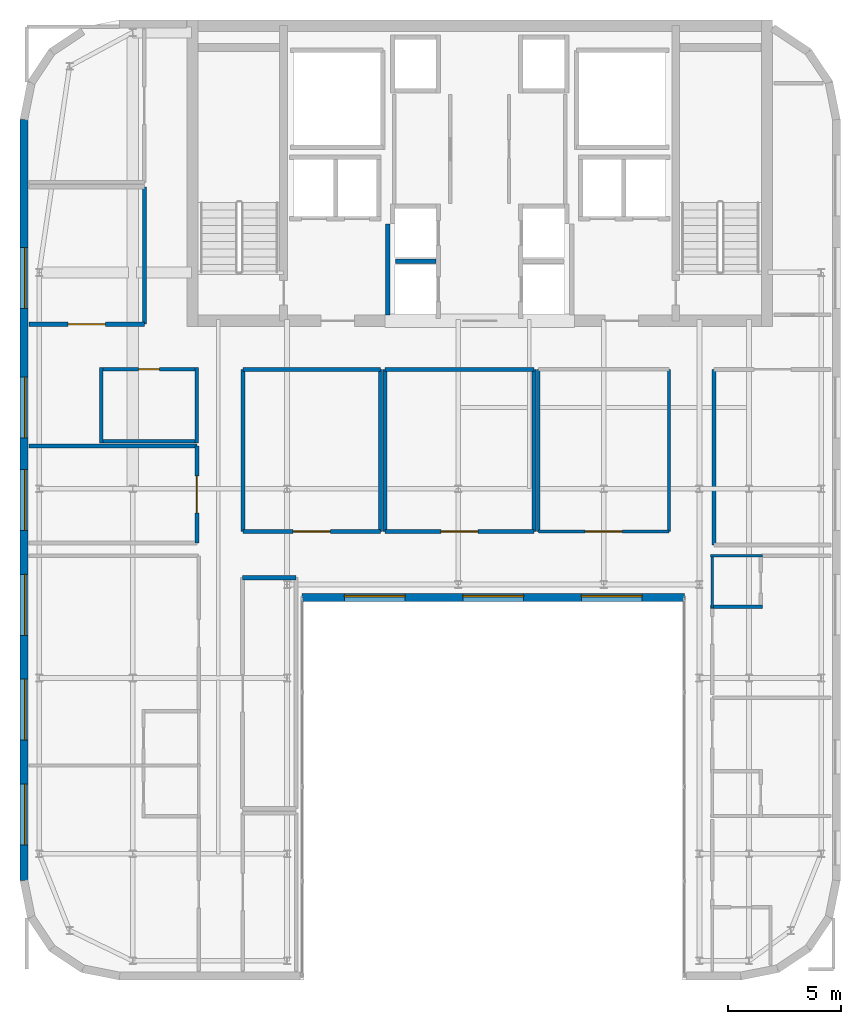
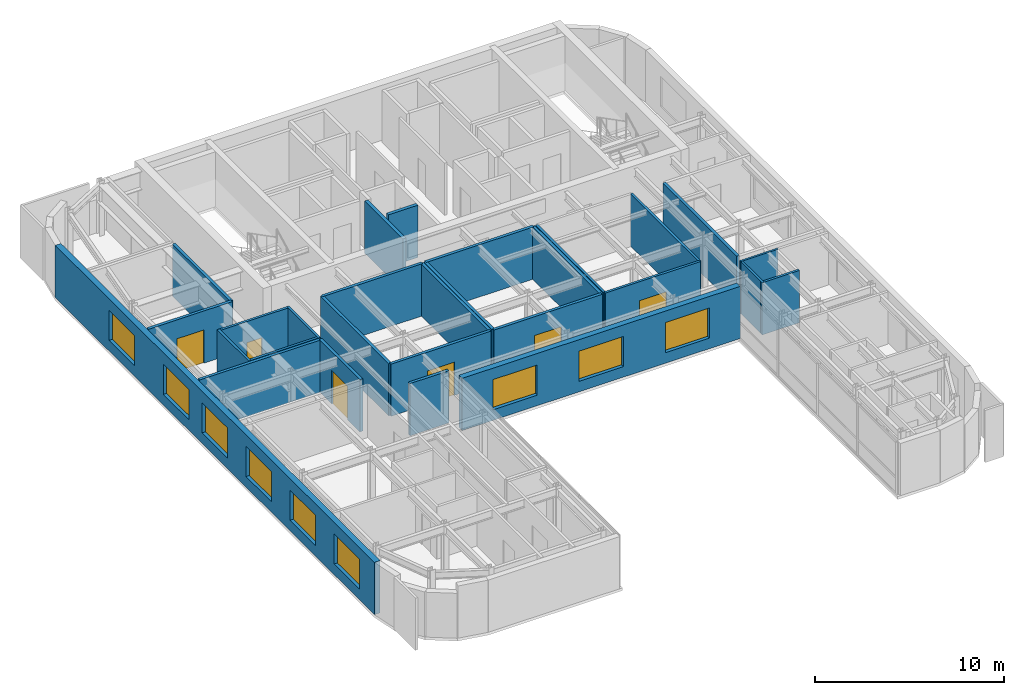
# One storey, part 14 of 18: 28 walls, 9 windows, 6 doors, 15 openings.
"""IFC4 building model written with IfcOpenShell, lengths in metres."""

from ifc_helpers import new_model, si_unit, direction, frame, frame_2d, origin, place, context, subcontext, project, spatial, rectangle, extrude, source, transform, mapped, material, layer, layer_set, type_object, type_shapes, element, fill, save


model = new_model("IFC4")

# Units and contexts
model_context = context("Model", 3, precision=1e-05, world=origin(), true_north=direction((0.0, 1.0)))
body_context = subcontext(model_context, "Body", "Model", "MODEL_VIEW")
ifc_project = project(units=[si_unit("LENGTHUNIT", "METRE"), si_unit("AREAUNIT", "SQUARE_METRE"), si_unit("VOLUMEUNIT", "CUBIC_METRE"), si_unit("PLANEANGLEUNIT", "RADIAN"), si_unit("MASSUNIT", "GRAM", prefix="KILO")], contexts=[model_context])

# Site, building, storey
site_placement = place(None, origin())
site = spatial("IfcSite", under=ifc_project, at=site_placement, CompositionType="ELEMENT")
building_placement = place(site_placement, origin())
building = spatial("IfcBuilding", under=site, at=building_placement, Name="Tolvann Quenvar Hotel", CompositionType="ELEMENT")
storey_placement = place(building_placement, frame((0.0, 0.0, 259.39990234375)))
storey = spatial("IfcBuildingStorey", under=building, at=storey_placement, Name="L69", CompositionType="ELEMENT", Elevation=259.39990234375)

# Wall, openings, windows
ifc_material_1 = material(Name="Kiln-fired red and buff architectural clay brickwork and terracotta masonry", Category="masonry")
ifc_layer_1 = layer(ifc_material_1, 0.35009765625)
ifc_layer_set_1 = layer_set([ifc_layer_1], Name="Kiln-fired red and buff architectural clay brickwork and terracotta masonry")
wall_type_1 = type_object("IfcWallType", Name="WALL_EXT_BRICK_350", PredefinedType="SOLIDWALL", material=ifc_layer_set_1)
wall_1_placement = place(storey_placement, frame((15.110107421875, 19.574951171875, 0.0), z_axis=(0.0, 0.0, 1.0), x_axis=(1.0, 0.0, 0.0)))
wall_1 = element("IfcWall", 1, at=wall_1_placement, inside=storey, type_object=wall_type_1, Name="Exterior Chicago Brick Wall L69-E06", PredefinedType="SOLIDWALL", context=body_context, shape_type="SweptSolid", body=[
    extrude(rectangle(XDim=16.97998046875, YDim=0.35009765625, at=frame_2d((8.489990234375, 0.0))), origin(), (0.0, 0.0, 1.0), 3.3701171875),
])
opening_1_placement = place(wall_1_placement, frame((1.8798828125, 0.0, 0.679931640625)))
opening_1 = element("IfcOpeningElement", 2, at=opening_1_placement, cuts=wall_1, Name="Opening W-04", PredefinedType="OPENING", context=body_context, shape_type="SweptSolid", body=[
    extrude(rectangle(XDim=2.699951171875, YDim=1.949951171875, at=frame_2d((1.35009765625, 0.97509765625))), frame((0.0, 0.18505859375, 0.0), z_axis=(0.0, -1.0, 0.0), x_axis=(1.0, 0.0, 0.0)), (0.0, 0.0, 1.0), 0.3701171875),
])
opening_2_placement = place(wall_1_placement, frame((7.139892578125, 0.0, 0.679931640625)))
opening_2 = element("IfcOpeningElement", 3, at=opening_2_placement, cuts=wall_1, Name="Opening W-04", PredefinedType="OPENING", context=body_context, shape_type="SweptSolid", body=[
    extrude(rectangle(XDim=2.699951171875, YDim=1.949951171875, at=frame_2d((1.35009765625, 0.97509765625))), frame((0.0, 0.18505859375, 0.0), z_axis=(0.0, -1.0, 0.0), x_axis=(1.0, 0.0, 0.0)), (0.0, 0.0, 1.0), 0.3701171875),
])
opening_3_placement = place(wall_1_placement, frame((12.39990234375, 0.0, 0.679931640625)))
opening_3 = element("IfcOpeningElement", 4, at=opening_3_placement, cuts=wall_1, Name="Opening W-04", PredefinedType="OPENING", context=body_context, shape_type="SweptSolid", body=[
    extrude(rectangle(XDim=2.699951171875, YDim=1.949951171875, at=frame_2d((1.35009765625, 0.97509765625))), frame((0.0, 0.18505859375, 0.0), z_axis=(0.0, -1.0, 0.0), x_axis=(1.0, 0.0, 0.0)), (0.0, 0.0, 1.0), 0.3701171875),
])
ifc_material_2 = material(Name="Thermally broken bronze-anodised aluminium frame with double low-E glazing", Category="aluminium")
window_type = type_object("IfcWindowType", Name="WIN_STE_2700x2150", PartitioningType="TRIPLE_PANEL_HORIZONTAL", PredefinedType="WINDOW", material=ifc_material_2)
shared_shape_1 = source(origin(), body_context, "Body", "SweptSolid", [
    extrude(rectangle(XDim=2.699951171875, YDim=1.949951171875, at=frame_2d((1.35009765625, 0.97509765625))), frame((0.0, 0.090087890625, 0.0), z_axis=(0.0, -1.0, 0.0), x_axis=(1.0, 0.0, 0.0)), (0.0, 0.0, 1.0), 0.06005859375),
])
type_shapes(window_type, [shared_shape_1])
window_1_placement = place(opening_1_placement, origin())
window_1 = element("IfcWindow", 5, at=window_1_placement, inside=storey, type_object=window_type, Name="Chicago Window W-04 (EW-L69-E06-W01)", OverallHeight=1.949951171875, OverallWidth=2.699951171875, PartitioningType="TRIPLE_PANEL_HORIZONTAL", PredefinedType="WINDOW", context=body_context, shape_type="MappedRepresentation", body=[
    mapped(shared_shape_1, transform((0.0, 0.0, 0.0), x_axis=(1.0, 0.0, 0.0), y_axis=(0.0, 1.0, 0.0), z_axis=(0.0, 0.0, 1.0), scale=1.0)),
])
fill(opening_1, window_1)
window_2_placement = place(opening_2_placement, origin())
window_2 = element("IfcWindow", 6, at=window_2_placement, inside=storey, type_object=window_type, Name="Chicago Window W-04 (EW-L69-E06-W02)", OverallHeight=1.949951171875, OverallWidth=2.699951171875, PartitioningType="TRIPLE_PANEL_HORIZONTAL", PredefinedType="WINDOW", context=body_context, shape_type="MappedRepresentation", body=[
    mapped(shared_shape_1, transform((0.0, 0.0, 0.0), x_axis=(1.0, 0.0, 0.0), y_axis=(0.0, 1.0, 0.0), z_axis=(0.0, 0.0, 1.0), scale=1.0)),
])
fill(opening_2, window_2)
window_3_placement = place(opening_3_placement, origin())
window_3 = element("IfcWindow", 7, at=window_3_placement, inside=storey, type_object=window_type, Name="Chicago Window W-04 (EW-L69-E06-W03)", OverallHeight=1.949951171875, OverallWidth=2.699951171875, PartitioningType="TRIPLE_PANEL_HORIZONTAL", PredefinedType="WINDOW", context=body_context, shape_type="MappedRepresentation", body=[
    mapped(shared_shape_1, transform((0.0, 0.0, 0.0), x_axis=(1.0, 0.0, 0.0), y_axis=(0.0, 1.0, 0.0), z_axis=(0.0, 0.0, 1.0), scale=1.0)),
])
fill(opening_3, window_3)

wall_2_placement = place(storey_placement, frame((2.77490234375, 40.78271484375, 0.0), z_axis=(0.0, 0.0, 1.0), x_axis=(0.0, -1.0, 0.0)))
wall_2 = element("IfcWall", 8, at=wall_2_placement, inside=storey, type_object=wall_type_1, Name="Exterior Chicago Brick Wall L69-E23", PredefinedType="SOLIDWALL", context=body_context, shape_type="SweptSolid", body=[
    extrude(rectangle(XDim=33.765625, YDim=0.35009765625, at=frame_2d((16.8828125, 0.0))), origin(), (0.0, 0.0, 1.0), 3.3701171875),
])
opening_4_placement = place(wall_2_placement, frame((5.677978515625, 0.0, 0.679931640625)))
opening_4 = element("IfcOpeningElement", 9, at=opening_4_placement, cuts=wall_2, Name="Opening W-04", PredefinedType="OPENING", context=body_context, shape_type="SweptSolid", body=[
    extrude(rectangle(XDim=2.699951171875, YDim=1.949951171875, at=frame_2d((1.35009765625, 0.97509765625))), frame((0.0, 0.18505859375, 0.0), z_axis=(0.0, -1.0, 0.0), x_axis=(1.0, 0.0, 0.0)), (0.0, 0.0, 1.0), 0.3701171875),
])
opening_5_placement = place(wall_2_placement, frame((11.430908203125, 0.0, 0.679931640625)))
opening_5 = element("IfcOpeningElement", 10, at=opening_5_placement, cuts=wall_2, Name="Opening W-04", PredefinedType="OPENING", context=body_context, shape_type="SweptSolid", body=[
    extrude(rectangle(XDim=2.699951171875, YDim=1.949951171875, at=frame_2d((1.35009765625, 0.97509765625))), frame((0.0, 0.18505859375, 0.0), z_axis=(0.0, -1.0, 0.0), x_axis=(1.0, 0.0, 0.0)), (0.0, 0.0, 1.0), 0.3701171875),
])
opening_6_placement = place(wall_2_placement, frame((15.532958984375, 0.0, 0.679931640625)))
opening_6 = element("IfcOpeningElement", 11, at=opening_6_placement, cuts=wall_2, Name="Opening W-04", PredefinedType="OPENING", context=body_context, shape_type="SweptSolid", body=[
    extrude(rectangle(XDim=2.699951171875, YDim=1.949951171875, at=frame_2d((1.35009765625, 0.97509765625))), frame((0.0, 0.18505859375, 0.0), z_axis=(0.0, -1.0, 0.0), x_axis=(1.0, 0.0, 0.0)), (0.0, 0.0, 1.0), 0.3701171875),
])
opening_7_placement = place(wall_2_placement, frame((20.18505859375, 0.0, 0.679931640625)))
opening_7 = element("IfcOpeningElement", 12, at=opening_7_placement, cuts=wall_2, Name="Opening W-04", PredefinedType="OPENING", context=body_context, shape_type="SweptSolid", body=[
    extrude(rectangle(XDim=2.699951171875, YDim=1.949951171875, at=frame_2d((1.35009765625, 0.97509765625))), frame((0.0, 0.18505859375, 0.0), z_axis=(0.0, -1.0, 0.0), x_axis=(1.0, 0.0, 0.0)), (0.0, 0.0, 1.0), 0.3701171875),
])
opening_8_placement = place(wall_2_placement, frame((24.8369140625, 0.0, 0.679931640625)))
opening_8 = element("IfcOpeningElement", 13, at=opening_8_placement, cuts=wall_2, Name="Opening W-04", PredefinedType="OPENING", context=body_context, shape_type="SweptSolid", body=[
    extrude(rectangle(XDim=2.699951171875, YDim=1.949951171875, at=frame_2d((1.35009765625, 0.97509765625))), frame((0.0, 0.18505859375, 0.0), z_axis=(0.0, -1.0, 0.0), x_axis=(1.0, 0.0, 0.0)), (0.0, 0.0, 1.0), 0.3701171875),
])
opening_9_placement = place(wall_2_placement, frame((29.489013671875, 0.0, 0.679931640625)))
opening_9 = element("IfcOpeningElement", 14, at=opening_9_placement, cuts=wall_2, Name="Opening W-04", PredefinedType="OPENING", context=body_context, shape_type="SweptSolid", body=[
    extrude(rectangle(XDim=2.699951171875, YDim=1.949951171875, at=frame_2d((1.35009765625, 0.97509765625))), frame((0.0, 0.18505859375, 0.0), z_axis=(0.0, -1.0, 0.0), x_axis=(1.0, 0.0, 0.0)), (0.0, 0.0, 1.0), 0.3701171875),
])
window_4_placement = place(opening_4_placement, origin())
window_4 = element("IfcWindow", 15, at=window_4_placement, inside=storey, type_object=window_type, Name="Chicago Window W-04 (EW-L69-E23-W01)", OverallHeight=1.949951171875, OverallWidth=2.699951171875, PartitioningType="TRIPLE_PANEL_HORIZONTAL", PredefinedType="WINDOW", context=body_context, shape_type="MappedRepresentation", body=[
    mapped(shared_shape_1, transform((0.0, 0.0, 0.0), x_axis=(1.0, 0.0, 0.0), y_axis=(0.0, 1.0, 0.0), z_axis=(0.0, 0.0, 1.0), scale=1.0)),
])
fill(opening_4, window_4)
window_5_placement = place(opening_5_placement, origin())
window_5 = element("IfcWindow", 16, at=window_5_placement, inside=storey, type_object=window_type, Name="Chicago Window W-04 (EW-L69-E23-W02)", OverallHeight=1.949951171875, OverallWidth=2.699951171875, PartitioningType="TRIPLE_PANEL_HORIZONTAL", PredefinedType="WINDOW", context=body_context, shape_type="MappedRepresentation", body=[
    mapped(shared_shape_1, transform((0.0, 0.0, 0.0), x_axis=(1.0, 0.0, 0.0), y_axis=(0.0, 1.0, 0.0), z_axis=(0.0, 0.0, 1.0), scale=1.0)),
])
fill(opening_5, window_5)
window_6_placement = place(opening_6_placement, origin())
window_6 = element("IfcWindow", 17, at=window_6_placement, inside=storey, type_object=window_type, Name="Chicago Window W-04 (EW-L69-E23-W03)", OverallHeight=1.949951171875, OverallWidth=2.699951171875, PartitioningType="TRIPLE_PANEL_HORIZONTAL", PredefinedType="WINDOW", context=body_context, shape_type="MappedRepresentation", body=[
    mapped(shared_shape_1, transform((0.0, 0.0, 0.0), x_axis=(1.0, 0.0, 0.0), y_axis=(0.0, 1.0, 0.0), z_axis=(0.0, 0.0, 1.0), scale=1.0)),
])
fill(opening_6, window_6)
window_7_placement = place(opening_7_placement, origin())
window_7 = element("IfcWindow", 18, at=window_7_placement, inside=storey, type_object=window_type, Name="Chicago Window W-04 (EW-L69-E23-W04)", OverallHeight=1.949951171875, OverallWidth=2.699951171875, PartitioningType="TRIPLE_PANEL_HORIZONTAL", PredefinedType="WINDOW", context=body_context, shape_type="MappedRepresentation", body=[
    mapped(shared_shape_1, transform((0.0, 0.0, 0.0), x_axis=(1.0, 0.0, 0.0), y_axis=(0.0, 1.0, 0.0), z_axis=(0.0, 0.0, 1.0), scale=1.0)),
])
fill(opening_7, window_7)
window_8_placement = place(opening_8_placement, origin())
window_8 = element("IfcWindow", 19, at=window_8_placement, inside=storey, type_object=window_type, Name="Chicago Window W-04 (EW-L69-E23-W05)", OverallHeight=1.949951171875, OverallWidth=2.699951171875, PartitioningType="TRIPLE_PANEL_HORIZONTAL", PredefinedType="WINDOW", context=body_context, shape_type="MappedRepresentation", body=[
    mapped(shared_shape_1, transform((0.0, 0.0, 0.0), x_axis=(1.0, 0.0, 0.0), y_axis=(0.0, 1.0, 0.0), z_axis=(0.0, 0.0, 1.0), scale=1.0)),
])
fill(opening_8, window_8)
window_9_placement = place(opening_9_placement, origin())
window_9 = element("IfcWindow", 20, at=window_9_placement, inside=storey, type_object=window_type, Name="Chicago Window W-04 (EW-L69-E23-W06)", OverallHeight=1.949951171875, OverallWidth=2.699951171875, PartitioningType="TRIPLE_PANEL_HORIZONTAL", PredefinedType="WINDOW", context=body_context, shape_type="MappedRepresentation", body=[
    mapped(shared_shape_1, transform((0.0, 0.0, 0.0), x_axis=(1.0, 0.0, 0.0), y_axis=(0.0, 1.0, 0.0), z_axis=(0.0, 0.0, 1.0), scale=1.0)),
])
fill(opening_9, window_9)

# Wall
ifc_material_3 = material(Name="Acoustic twin-stud fire-rated gypsum plasterboard partition")
ifc_layer_2 = layer(ifc_material_3, 0.179931640625)
ifc_layer_set_2 = layer_set([ifc_layer_2], Name="Acoustic twin-stud fire-rated gypsum plasterboard partition")
wall_type_2 = type_object("IfcWallType", Name="WALL_PART_ACOUSTIC_180", PredefinedType="PARTITIONING", material=ifc_layer_set_2)
wall_3_placement = place(storey_placement, frame((12.47998046875, 20.449951171875, 0.0), z_axis=(0.0, 0.0, 1.0), x_axis=(1.0, 0.0, 0.0)))
element("IfcWall", 21, at=wall_3_placement, inside=storey, type_object=wall_type_2, Name="Interior Partition PT-SPC-L69-POVL-N", PredefinedType="PARTITIONING", context=body_context, shape_type="SweptSolid", body=[
    extrude(rectangle(XDim=2.3701171875, YDim=0.179931640625, at=frame_2d((1.18505859375, 0.0))), origin(), (0.0, 0.0, 1.0), 3.3701171875),
])

# Wall, opening, door
wall_4_placement = place(storey_placement, frame((12.5, 22.5, 0.0), z_axis=(0.0, 0.0, 1.0), x_axis=(1.0, 0.0, 0.0)))
wall_4 = element("IfcWall", 22, at=wall_4_placement, inside=storey, type_object=wall_type_2, Name="Interior Partition PT-SPC-L69-PCNTR1-S", PredefinedType="PARTITIONING", context=body_context, shape_type="SweptSolid", body=[
    extrude(rectangle(XDim=6.10009765625, YDim=0.179931640625, at=frame_2d((3.050048828125, 0.0))), origin(), (0.0, 0.0, 1.0), 3.3701171875),
])
opening_10_placement = place(wall_4_placement, frame((2.22509765625, 0.0, 0.0)))
opening_10 = element("IfcOpeningElement", 23, at=opening_10_placement, cuts=wall_4, Name="Opening AD-01", PredefinedType="OPENING", context=body_context, shape_type="SweptSolid", body=[
    extrude(rectangle(XDim=1.64990234375, YDim=2.14990234375, at=frame_2d((0.824951171875, 1.074951171875))), frame((0.0, 0.10009765625, 0.0), z_axis=(0.0, -1.0, 0.0), x_axis=(1.0, 0.0, 0.0)), (0.0, 0.0, 1.0), 0.199951171875),
])
ifc_material_4 = material(Name="Solid-core American oak acoustic fire door leaf in steel frame", Category="steel")
door_type_1 = type_object("IfcDoorType", Name="DOOR_SALON_1650", OperationType="NOTDEFINED", PredefinedType="DOOR", material=ifc_material_4)
shared_shape_2 = source(origin(), body_context, "Body", "SweptSolid", [
    extrude(rectangle(XDim=1.64990234375, YDim=2.14990234375, at=frame_2d((0.824951171875, 1.074951171875))), frame((0.0, 0.02490234375, 0.0), z_axis=(0.0, -1.0, 0.0), x_axis=(1.0, 0.0, 0.0)), (0.0, 0.0, 1.0), 0.050048828125),
])
type_shapes(door_type_1, [shared_shape_2])
door_1_placement = place(opening_10_placement, origin())
door_1 = element("IfcDoor", 24, at=door_1_placement, inside=storey, type_object=door_type_1, Name="Interior Door DOOR-SPC-L69-PCNTR1", OperationType="DOUBLE_DOOR_SINGLE_SWING", OverallHeight=2.14990234375, OverallWidth=1.64990234375, PredefinedType="DOOR", context=body_context, shape_type="MappedRepresentation", body=[
    mapped(shared_shape_2, transform((0.0, 0.0, 0.0), x_axis=(1.0, 0.0, 0.0), y_axis=(0.0, 1.0, 0.0), z_axis=(0.0, 0.0, 1.0), scale=1.0)),
])
fill(opening_10, door_1)

# Walls
wall_5_placement = place(storey_placement, frame((12.5, 29.699951171875, 0.0), z_axis=(0.0, 0.0, 1.0), x_axis=(1.0, 0.0, 0.0)))
element("IfcWall", 25, at=wall_5_placement, inside=storey, type_object=wall_type_2, Name="Interior Partition PT-SPC-L69-PCNTR1-N", PredefinedType="PARTITIONING", context=body_context, shape_type="SweptSolid", body=[
    extrude(rectangle(XDim=6.10009765625, YDim=0.179931640625, at=frame_2d((3.050048828125, 0.0))), origin(), (0.0, 0.0, 1.0), 3.3701171875),
])
for number, where, z_axis, x_axis, name in (
    (26, (12.5, 22.5, 0.0), (0.0, 0.0, 1.0), (0.0, 1.0, 0.0), "Interior Partition PT-SPC-L69-PCNTR1-W"),
    (27, (18.60009765625, 22.5, 0.0), (0.0, 0.0, 1.0), (0.0, 1.0, 0.0), "Interior Partition PT-SPC-L69-PCNTR1-E"),
):
    element("IfcWall", number, at=place(storey_placement, frame(where, z_axis=z_axis, x_axis=x_axis)), inside=storey, type_object=wall_type_2, Name=name, PredefinedType="PARTITIONING", context=body_context, shape_type="SweptSolid", body=[
        extrude(rectangle(XDim=7.199951171875, YDim=0.179931640625, at=frame_2d((3.60009765625, 0.0))), origin(), (0.0, 0.0, 1.0), 3.3701171875),
    ])

# Wall, opening, door
wall_6_placement = place(storey_placement, frame((18.800048828125, 22.5, 0.0), z_axis=(0.0, 0.0, 1.0), x_axis=(1.0, 0.0, 0.0)))
wall_6 = element("IfcWall", 28, at=wall_6_placement, inside=storey, type_object=wall_type_2, Name="Interior Partition PT-SPC-L69-PCNTR2-S", PredefinedType="PARTITIONING", context=body_context, shape_type="SweptSolid", body=[
    extrude(rectangle(XDim=6.599853515625, YDim=0.179931640625, at=frame_2d((3.2998046875, 0.0))), origin(), (0.0, 0.0, 1.0), 3.3701171875),
])
opening_11_placement = place(wall_6_placement, frame((2.47509765625, 0.0, 0.0)))
opening_11 = element("IfcOpeningElement", 29, at=opening_11_placement, cuts=wall_6, Name="Opening AD-01", PredefinedType="OPENING", context=body_context, shape_type="SweptSolid", body=[
    extrude(rectangle(XDim=1.64990234375, YDim=2.14990234375, at=frame_2d((0.824951171875, 1.074951171875))), frame((0.0, 0.10009765625, 0.0), z_axis=(0.0, -1.0, 0.0), x_axis=(1.0, 0.0, 0.0)), (0.0, 0.0, 1.0), 0.199951171875),
])
door_2_placement = place(opening_11_placement, origin())
door_2 = element("IfcDoor", 30, at=door_2_placement, inside=storey, type_object=door_type_1, Name="Interior Door DOOR-SPC-L69-PCNTR2", OperationType="DOUBLE_DOOR_SINGLE_SWING", OverallHeight=2.14990234375, OverallWidth=1.64990234375, PredefinedType="DOOR", context=body_context, shape_type="MappedRepresentation", body=[
    mapped(shared_shape_2, transform((0.0, 0.0, 0.0), x_axis=(1.0, 0.0, 0.0), y_axis=(0.0, 1.0, 0.0), z_axis=(0.0, 0.0, 1.0), scale=1.0)),
])
fill(opening_11, door_2)

# Walls
wall_7_placement = place(storey_placement, frame((18.800048828125, 29.699951171875, 0.0), z_axis=(0.0, 0.0, 1.0), x_axis=(1.0, 0.0, 0.0)))
element("IfcWall", 31, at=wall_7_placement, inside=storey, type_object=wall_type_2, Name="Interior Partition PT-SPC-L69-PCNTR2-N", PredefinedType="PARTITIONING", context=body_context, shape_type="SweptSolid", body=[
    extrude(rectangle(XDim=6.599853515625, YDim=0.179931640625, at=frame_2d((3.2998046875, 0.0))), origin(), (0.0, 0.0, 1.0), 3.3701171875),
])
for number, where, z_axis, x_axis, name in (
    (32, (18.800048828125, 22.5, 0.0), (0.0, 0.0, 1.0), (0.0, 1.0, 0.0), "Interior Partition PT-SPC-L69-PCNTR2-W"),
    (33, (25.39990234375, 22.5, 0.0), (0.0, 0.0, 1.0), (0.0, 1.0, 0.0), "Interior Partition PT-SPC-L69-PCNTR2-E"),
):
    element("IfcWall", number, at=place(storey_placement, frame(where, z_axis=z_axis, x_axis=x_axis)), inside=storey, type_object=wall_type_2, Name=name, PredefinedType="PARTITIONING", context=body_context, shape_type="SweptSolid", body=[
        extrude(rectangle(XDim=7.199951171875, YDim=0.179931640625, at=frame_2d((3.60009765625, 0.0))), origin(), (0.0, 0.0, 1.0), 3.3701171875),
    ])
wall_8_placement = place(storey_placement, frame((3.0048828125, 26.300048828125, 0.0), z_axis=(0.0, 0.0, 1.0), x_axis=(1.0, 0.0, 0.0)))
element("IfcWall", 34, at=wall_8_placement, inside=storey, type_object=wall_type_2, Name="Interior Partition PT-SPC-L69-WCLNG-N", PredefinedType="PARTITIONING", context=body_context, shape_type="SweptSolid", body=[
    extrude(rectangle(XDim=7.445068359375, YDim=0.179931640625, at=frame_2d((3.72265625, 0.0))), origin(), (0.0, 0.0, 1.0), 3.3701171875),
])

# Wall, opening, door
wall_9_placement = place(storey_placement, frame((10.449951171875, 22.0, 0.0), z_axis=(0.0, 0.0, 1.0), x_axis=(0.0, 1.0, 0.0)))
wall_9 = element("IfcWall", 35, at=wall_9_placement, inside=storey, type_object=wall_type_2, Name="Interior Partition PT-SPC-L69-WCLNG-E", PredefinedType="PARTITIONING", context=body_context, shape_type="SweptSolid", body=[
    extrude(rectangle(XDim=4.300048828125, YDim=0.179931640625, at=frame_2d((2.14990234375, 0.0))), origin(), (0.0, 0.0, 1.0), 3.3701171875),
])
opening_12_placement = place(wall_9_placement, frame((1.324951171875, 0.0, 0.0)))
opening_12 = element("IfcOpeningElement", 36, at=opening_12_placement, cuts=wall_9, Name="Opening AD-01", PredefinedType="OPENING", context=body_context, shape_type="SweptSolid", body=[
    extrude(rectangle(XDim=1.64990234375, YDim=2.14990234375, at=frame_2d((0.824951171875, 1.074951171875))), frame((0.0, 0.10009765625, 0.0), z_axis=(0.0, -1.0, 0.0), x_axis=(1.0, 0.0, 0.0)), (0.0, 0.0, 1.0), 0.199951171875),
])
door_3_placement = place(opening_12_placement, origin())
door_3 = element("IfcDoor", 37, at=door_3_placement, inside=storey, type_object=door_type_1, Name="Interior Door DOOR-SPC-L69-WCLNG", OperationType="DOUBLE_DOOR_SINGLE_SWING", OverallHeight=2.14990234375, OverallWidth=1.64990234375, PredefinedType="DOOR", context=body_context, shape_type="MappedRepresentation", body=[
    mapped(shared_shape_2, transform((0.0, 0.0, 0.0), x_axis=(1.0, 0.0, 0.0), y_axis=(0.0, 1.0, 0.0), z_axis=(0.0, 0.0, 1.0), scale=1.0)),
])
fill(opening_12, door_3)

wall_10_placement = place(storey_placement, frame((3.0048828125, 31.699951171875, 0.0), z_axis=(0.0, 0.0, 1.0), x_axis=(1.0, 0.0, 0.0)))
wall_10 = element("IfcWall", 38, at=wall_10_placement, inside=storey, type_object=wall_type_2, Name="Interior Partition PT-SPC-L69-SAL-S", PredefinedType="PARTITIONING", context=body_context, shape_type="SweptSolid", body=[
    extrude(rectangle(XDim=5.115234375, YDim=0.179931640625, at=frame_2d((2.5576171875, 0.0))), origin(), (0.0, 0.0, 1.0), 3.3701171875),
])
opening_13_placement = place(wall_10_placement, frame((1.732421875, 0.0, 0.0)))
opening_13 = element("IfcOpeningElement", 39, at=opening_13_placement, cuts=wall_10, Name="Opening AD-01", PredefinedType="OPENING", context=body_context, shape_type="SweptSolid", body=[
    extrude(rectangle(XDim=1.64990234375, YDim=2.14990234375, at=frame_2d((0.824951171875, 1.074951171875))), frame((0.0, 0.10009765625, 0.0), z_axis=(0.0, -1.0, 0.0), x_axis=(1.0, 0.0, 0.0)), (0.0, 0.0, 1.0), 0.199951171875),
])
door_4_placement = place(opening_13_placement, origin())
door_4 = element("IfcDoor", 40, at=door_4_placement, inside=storey, type_object=door_type_1, Name="Interior Door DOOR-SPC-L69-SAL", OperationType="DOUBLE_DOOR_SINGLE_SWING", OverallHeight=2.14990234375, OverallWidth=1.64990234375, PredefinedType="DOOR", context=body_context, shape_type="MappedRepresentation", body=[
    mapped(shared_shape_2, transform((0.0, 0.0, 0.0), x_axis=(1.0, 0.0, 0.0), y_axis=(0.0, 1.0, 0.0), z_axis=(0.0, 0.0, 1.0), scale=1.0)),
])
fill(opening_13, door_4)

# Walls
wall_11_placement = place(storey_placement, frame((8.1201171875, 31.699951171875, 0.0), z_axis=(0.0, 0.0, 1.0), x_axis=(0.0, 1.0, 0.0)))
element("IfcWall", 41, at=wall_11_placement, inside=storey, type_object=wall_type_2, Name="Interior Partition PT-SPC-L69-SAL-E", PredefinedType="PARTITIONING", context=body_context, shape_type="SweptSolid", body=[
    extrude(rectangle(XDim=6.10009765625, YDim=0.179931640625, at=frame_2d((3.050048828125, 0.0))), origin(), (0.0, 0.0, 1.0), 3.3701171875),
])
wall_12_placement = place(storey_placement, frame((33.39990234375, 21.89990234375, 0.0), z_axis=(0.0, 0.0, 1.0), x_axis=(0.0, 1.0, 0.0)))
element("IfcWall", 42, at=wall_12_placement, inside=storey, type_object=wall_type_2, Name="Interior Partition PT-SPC-L69-PNE1-W", PredefinedType="PARTITIONING", context=body_context, shape_type="SweptSolid", body=[
    extrude(rectangle(XDim=7.800048828125, YDim=0.179931640625, at=frame_2d((3.89990234375, 0.0))), origin(), (0.0, 0.0, 1.0), 3.3701171875),
])
ifc_material_5 = material(Name="Moisture-resistant acoustic plumbing wall assembly")
ifc_layer_3 = layer(ifc_material_5, 0.1201171875)
ifc_layer_set_3 = layer_set([ifc_layer_3], Name="Moisture-resistant acoustic plumbing wall assembly")
wall_type_3 = type_object("IfcWallType", Name="WALL_PART_BATH_120", PredefinedType="PLUMBINGWALL", material=ifc_layer_set_3)
wall_13_placement = place(storey_placement, frame((33.25, 21.419921875, 0.0), z_axis=(0.0, 0.0, 1.0), x_axis=(1.0, 0.0, 0.0)))
element("IfcWall", 43, at=wall_13_placement, inside=storey, type_object=wall_type_3, Name="Non-Rated Plumbing Partition PT-SPC-L69-ENS-PE03-N", PredefinedType="PLUMBINGWALL", context=body_context, shape_type="SweptSolid", body=[
    extrude(rectangle(XDim=2.2900390625, YDim=0.1201171875, at=frame_2d((1.14501953125, 0.0))), origin(), (0.0, 0.0, 1.0), 3.3701171875),
])
wall_14_placement = place(storey_placement, frame((33.320068359375, 19.10009765625, 0.0), z_axis=(0.0, 0.0, 1.0), x_axis=(0.0, 1.0, 0.0)))
element("IfcWall", 44, at=wall_14_placement, inside=storey, type_object=wall_type_3, Name="Non-Rated Plumbing Partition PT-SPC-L69-ENS-PE03-W", PredefinedType="PLUMBINGWALL", context=body_context, shape_type="SweptSolid", body=[
    extrude(rectangle(XDim=2.389892578125, YDim=0.1201171875, at=frame_2d((1.19482421875, 0.0))), origin(), (0.0, 0.0, 1.0), 3.3701171875),
])
ifc_layer_4 = layer(ifc_material_3, 0.14990234375)
ifc_layer_set_4 = layer_set([ifc_layer_4], Name="Acoustic twin-stud fire-rated gypsum plasterboard partition")
wall_type_4 = type_object("IfcWallType", Name="WALL_PART_SUITE_150", PredefinedType="PARTITIONING", material=ifc_layer_set_4)
wall_15_placement = place(storey_placement, frame((33.25, 19.169921875, 0.0), z_axis=(0.0, 0.0, 1.0), x_axis=(1.0, 0.0, 0.0)))
element("IfcWall", 45, at=wall_15_placement, inside=storey, type_object=wall_type_4, Name="Interior Partition PT-SPC-L69-ENS-PE03-S", PredefinedType="PARTITIONING", context=body_context, shape_type="SweptSolid", body=[
    extrude(rectangle(XDim=2.2900390625, YDim=0.14990234375, at=frame_2d((1.14501953125, 0.0))), origin(), (0.0, 0.0, 1.0), 3.3701171875),
])

# Wall, opening, door
wall_16_placement = place(storey_placement, frame((25.60009765625, 22.5, 0.0), z_axis=(0.0, 0.0, 1.0), x_axis=(1.0, 0.0, 0.0)))
wall_16 = element("IfcWall", 46, at=wall_16_placement, inside=storey, type_object=wall_type_4, Name="Interior Partition PT-SPC-L69-PCNTR3-S", PredefinedType="PARTITIONING", context=body_context, shape_type="SweptSolid", body=[
    extrude(rectangle(XDim=5.7998046875, YDim=0.14990234375, at=frame_2d((2.89990234375, 0.0))), origin(), (0.0, 0.0, 1.0), 3.3701171875),
])
opening_14_placement = place(wall_16_placement, frame((2.074951171875, 0.0, 0.0)))
opening_14 = element("IfcOpeningElement", 47, at=opening_14_placement, cuts=wall_16, Name="Opening AD-01", PredefinedType="OPENING", context=body_context, shape_type="SweptSolid", body=[
    extrude(rectangle(XDim=1.64990234375, YDim=2.14990234375, at=frame_2d((0.824951171875, 1.074951171875))), frame((0.0, 0.0849609375, 0.0), z_axis=(0.0, -1.0, 0.0), x_axis=(1.0, 0.0, 0.0)), (0.0, 0.0, 1.0), 0.169921875),
])
door_5_placement = place(opening_14_placement, origin())
door_5 = element("IfcDoor", 48, at=door_5_placement, inside=storey, type_object=door_type_1, Name="Interior Door DOOR-SPC-L69-PCNTR3", OperationType="DOUBLE_DOOR_SINGLE_SWING", OverallHeight=2.14990234375, OverallWidth=1.64990234375, PredefinedType="DOOR", context=body_context, shape_type="MappedRepresentation", body=[
    mapped(shared_shape_2, transform((0.0, 0.0, 0.0), x_axis=(1.0, 0.0, 0.0), y_axis=(0.0, 1.0, 0.0), z_axis=(0.0, 0.0, 1.0), scale=1.0)),
])
fill(opening_14, door_5)

# Walls
for number, where, z_axis, x_axis, name in (
    (49, (25.60009765625, 22.5, 0.0), (0.0, 0.0, 1.0), (0.0, 1.0, 0.0), "Interior Partition PT-SPC-L69-PCNTR3-W"),
    (50, (31.39990234375, 22.5, 0.0), (0.0, 0.0, 1.0), (0.0, 1.0, 0.0), "Interior Partition PT-SPC-L69-PCNTR3-E"),
):
    element("IfcWall", number, at=place(storey_placement, frame(where, z_axis=z_axis, x_axis=x_axis)), inside=storey, type_object=wall_type_4, Name=name, PredefinedType="PARTITIONING", context=body_context, shape_type="SweptSolid", body=[
        extrude(rectangle(XDim=7.199951171875, YDim=0.14990234375, at=frame_2d((3.60009765625, 0.0))), origin(), (0.0, 0.0, 1.0), 3.3701171875),
    ])
wall_17_placement = place(storey_placement, frame((6.1298828125, 26.5, 0.0), z_axis=(0.0, 0.0, 1.0), x_axis=(1.0, 0.0, 0.0)))
element("IfcWall", 51, at=wall_17_placement, inside=storey, type_object=wall_type_4, Name="Interior Partition PT-SPC-L69-WCA-S", PredefinedType="PARTITIONING", context=body_context, shape_type="SweptSolid", body=[
    extrude(rectangle(XDim=4.39013671875, YDim=0.14990234375, at=frame_2d((2.195068359375, 0.0))), origin(), (0.0, 0.0, 1.0), 3.3701171875),
])

# Wall, opening, door
wall_18_placement = place(storey_placement, frame((6.1298828125, 29.699951171875, 0.0), z_axis=(0.0, 0.0, 1.0), x_axis=(1.0, 0.0, 0.0)))
wall_18 = element("IfcWall", 52, at=wall_18_placement, inside=storey, type_object=wall_type_4, Name="Interior Partition PT-SPC-L69-WCA-N", PredefinedType="PARTITIONING", context=body_context, shape_type="SweptSolid", body=[
    extrude(rectangle(XDim=4.39013671875, YDim=0.14990234375, at=frame_2d((2.195068359375, 0.0))), origin(), (0.0, 0.0, 1.0), 3.3701171875),
])
opening_15_placement = place(wall_18_placement, frame((1.735107421875, 0.0, 0.0)))
opening_15 = element("IfcOpeningElement", 53, at=opening_15_placement, cuts=wall_18, Name="Opening WD-01", PredefinedType="OPENING", context=body_context, shape_type="SweptSolid", body=[
    extrude(rectangle(XDim=0.919921875, YDim=2.010009765625, at=frame_2d((0.4599609375, 1.0048828125))), frame((0.0, 0.0849609375, 0.0), z_axis=(0.0, -1.0, 0.0), x_axis=(1.0, 0.0, 0.0)), (0.0, 0.0, 1.0), 0.169921875),
])
door_type_2 = type_object("IfcDoorType", Name="DOOR_WC_920", OperationType="NOTDEFINED", PredefinedType="DOOR", material=ifc_material_4)
shared_shape_3 = source(origin(), body_context, "Body", "SweptSolid", [
    extrude(rectangle(XDim=0.919921875, YDim=2.010009765625, at=frame_2d((0.4599609375, 1.0048828125))), frame((0.0, 0.02490234375, 0.0), z_axis=(0.0, -1.0, 0.0), x_axis=(1.0, 0.0, 0.0)), (0.0, 0.0, 1.0), 0.050048828125),
])
type_shapes(door_type_2, [shared_shape_3])
door_6_placement = place(opening_15_placement, origin())
door_6 = element("IfcDoor", 54, at=door_6_placement, inside=storey, type_object=door_type_2, Name="Interior Door DOOR-SPC-L69-WCA", OperationType="SINGLE_SWING_RIGHT", OverallHeight=2.010009765625, OverallWidth=0.919921875, PredefinedType="DOOR", context=body_context, shape_type="MappedRepresentation", body=[
    mapped(shared_shape_3, transform((0.0, 0.0, 0.0), x_axis=(1.0, 0.0, 0.0), y_axis=(0.0, 1.0, 0.0), z_axis=(0.0, 0.0, 1.0), scale=1.0)),
])
fill(opening_15, door_6)

# Walls
for number, where, z_axis, x_axis, name in (
    (55, (6.199951171875, 26.429931640625, 0.0), (0.0, 0.0, 1.0), (0.0, 1.0, 0.0), "Interior Partition PT-SPC-L69-WCA-W"),
    (56, (10.449951171875, 26.429931640625, 0.0), (0.0, 0.0, 1.0), (0.0, 1.0, 0.0), "Interior Partition PT-SPC-L69-WCA-E"),
):
    element("IfcWall", number, at=place(storey_placement, frame(where, z_axis=z_axis, x_axis=x_axis)), inside=storey, type_object=wall_type_4, Name=name, PredefinedType="PARTITIONING", context=body_context, shape_type="SweptSolid", body=[
        extrude(rectangle(XDim=3.340087890625, YDim=0.14990234375, at=frame_2d((1.669921875, 0.0))), origin(), (0.0, 0.0, 1.0), 3.3701171875),
    ])
ifc_material_6 = material(Name="Concrete N40 (40 MPa)", Category="concrete")
ifc_layer_5 = layer(ifc_material_6, 0.199951171875)
ifc_layer_set_5 = layer_set([ifc_layer_5], Name="Concrete N40 (40 MPa)")
wall_type_5 = type_object("IfcWallType", Name="WALL_SHAFT_200", PredefinedType="SOLIDWALL", material=ifc_layer_set_5)
wall_19_placement = place(storey_placement, frame((18.919921875, 32.10400390625, 0.0), z_axis=(0.0, 0.0, 1.0), x_axis=(0.0, 1.0, 0.0)))
element("IfcWall", 57, at=wall_19_placement, inside=storey, type_object=wall_type_5, Name="Firefighting Lobby W Inner Fire Wall (L69)", PredefinedType="SOLIDWALL", context=body_context, shape_type="SweptSolid", body=[
    extrude(rectangle(XDim=4.0458984375, YDim=0.199951171875, at=frame_2d((2.02294921875, 0.0))), origin(), (0.0, 0.0, 1.0), 3.3701171875),
])
wall_20_placement = place(storey_placement, frame((19.27001953125, 34.5, 0.0), z_axis=(0.0, 0.0, 1.0), x_axis=(1.0, 0.0, 0.0)))
element("IfcWall", 58, at=wall_20_placement, inside=storey, type_object=wall_type_5, Name="Lift Bank E21.1C1 Divider Wall 1 (L69)", PredefinedType="SOLIDWALL", context=body_context, shape_type="SweptSolid", body=[
    extrude(rectangle(XDim=1.800048828125, YDim=0.199951171875, at=frame_2d((0.89990234375, 0.0))), origin(), (0.0, 0.0, 1.0), 3.3701171875),
])

save(model, "model.ifc")
